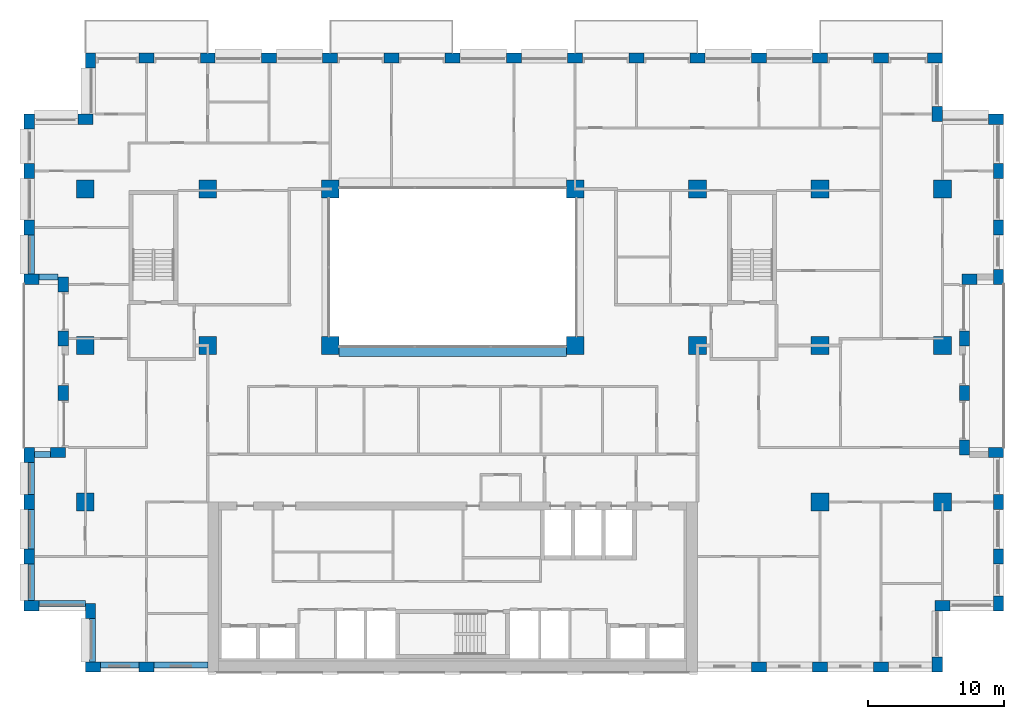
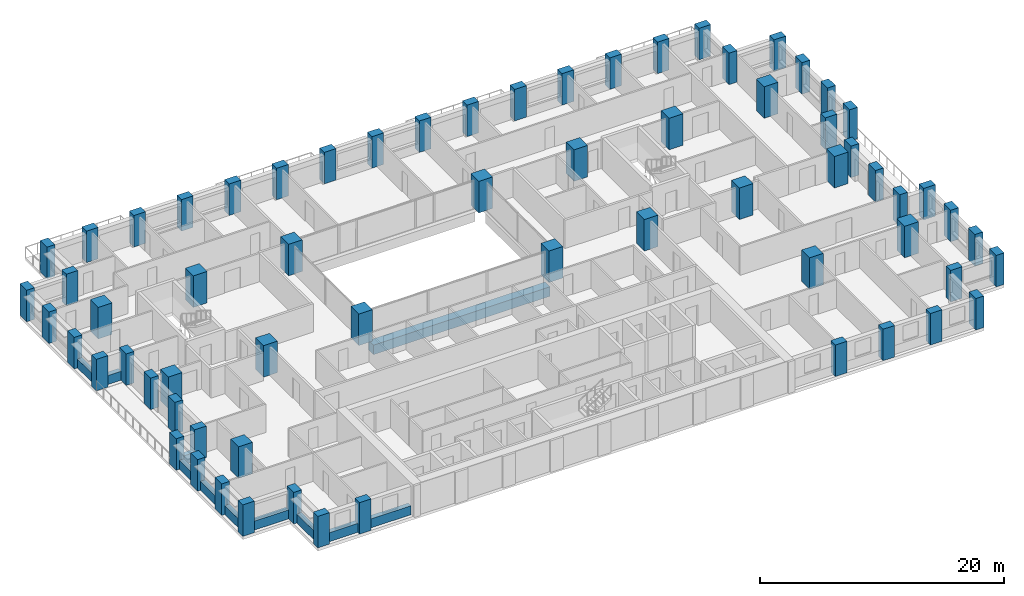
# One storey, part 1 of 16: 66 columns, 11 beams.
"""IFC4 building model written with IfcOpenShell, lengths in metres."""

from ifc_helpers import new_model, si_unit, direction, frame, origin, origin_2d, place, context, subcontext, project, spatial, rectangle, extrude, material, material_profile, profile_set, type_object, element, save


model = new_model("IFC4")

# Units and contexts
model_context = context("Model", 3, precision=1e-05, world=origin(), true_north=direction((0.0, 1.0)))
body_context = subcontext(model_context, "Body", "Model", "MODEL_VIEW")
ifc_project = project(units=[si_unit("LENGTHUNIT", "METRE"), si_unit("AREAUNIT", "SQUARE_METRE"), si_unit("VOLUMEUNIT", "CUBIC_METRE"), si_unit("PLANEANGLEUNIT", "RADIAN"), si_unit("MASSUNIT", "GRAM", prefix="KILO")], contexts=[model_context])

# Site, building, storey
site_placement = place(None, origin())
site = spatial("IfcSite", under=ifc_project, at=site_placement, CompositionType="ELEMENT")
building_placement = place(site_placement, origin())
building = spatial("IfcBuilding", under=site, at=building_placement, Name="Brigalow Station Residences", CompositionType="ELEMENT")
storey_placement = place(building_placement, frame((0.0, 0.0, 93.0)))
storey = spatial("IfcBuildingStorey", under=building, at=storey_placement, Name="L26", CompositionType="ELEMENT", Elevation=93.0)

# Columns
ifc_material_1 = material(Name="Concrete C65", Category="concrete")
ifc_material_profile_1 = material_profile(ifc_material_1, rectangle(XDim=1.300048828125, YDim=1.300048828125, at=origin_2d()), Name="RC1300x1300")
ifc_profile_set_1 = profile_set([ifc_material_profile_1], Name="Concrete C65")
column_type_1 = type_object("IfcColumnType", Name="COLUMN 1300x1300 C65", PredefinedType="COLUMN", material=ifc_profile_set_1)
for number, where, z_axis, x_axis, name in (
    (1, (9.0, 24.0, 0.0), (0.0, 0.0, 1.0), (1.0, 0.0, 0.0), "COLUMN C1 L26"),
    (2, (18.0, 24.0, 0.0), (0.0, 0.0, 1.0), (1.0, 0.0, 0.0), "COLUMN C2 L26"),
    (3, (27.0, 24.0, 0.0), (0.0, 0.0, 1.0), (1.0, 0.0, 0.0), "COLUMN C3 L26"),
    (4, (45.0, 24.0, 0.0), (0.0, 0.0, 1.0), (1.0, 0.0, 0.0), "COLUMN C5 L26"),
    (5, (54.0, 24.0, 0.0), (0.0, 0.0, 1.0), (1.0, 0.0, 0.0), "COLUMN C6 L26"),
    (6, (63.0, 24.0, 0.0), (0.0, 0.0, 1.0), (1.0, 0.0, 0.0), "COLUMN C7 L26"),
    (7, (72.0, 24.0, 0.0), (0.0, 0.0, 1.0), (1.0, 0.0, 0.0), "COLUMN C8 L26"),
    (8, (9.0, 35.5, 0.0), (0.0, 0.0, 1.0), (1.0, 0.0, 0.0), "COLUMN D1 L26"),
    (9, (18.0, 35.5, 0.0), (0.0, 0.0, 1.0), (1.0, 0.0, 0.0), "COLUMN D2 L26"),
    (10, (27.0, 35.5, 0.0), (0.0, 0.0, 1.0), (1.0, 0.0, 0.0), "COLUMN D3 L26"),
    (11, (45.0, 35.5, 0.0), (0.0, 0.0, 1.0), (1.0, 0.0, 0.0), "COLUMN D5 L26"),
    (12, (54.0, 35.5, 0.0), (0.0, 0.0, 1.0), (1.0, 0.0, 0.0), "COLUMN D6 L26"),
    (13, (63.0, 35.5, 0.0), (0.0, 0.0, 1.0), (1.0, 0.0, 0.0), "COLUMN D7 L26"),
    (14, (72.0, 35.5, 0.0), (0.0, 0.0, 1.0), (1.0, 0.0, 0.0), "COLUMN D8 L26"),
    (15, (9.0, 12.5, 0.0), (0.0, 0.0, 1.0), (1.0, 0.0, 0.0), "COLUMN B1 L26"),
    (16, (63.0, 12.5, 0.0), (0.0, 0.0, 1.0), (1.0, 0.0, 0.0), "COLUMN B7 L26"),
    (17, (72.0, 12.5, 0.0), (0.0, 0.0, 1.0), (1.0, 0.0, 0.0), "COLUMN B8 L26"),
):
    element("IfcColumn", number, at=place(storey_placement, frame(where, z_axis=z_axis, x_axis=x_axis)), inside=storey, type_object=column_type_1, Name=name, PredefinedType="COLUMN", context=body_context, shape_type="SweptSolid", body=[
        extrude(rectangle(XDim=1.300048828125, YDim=1.300048828125, at=origin_2d()), origin(), (0.0, 0.0, 1.0), 3.14990234375),
    ])
ifc_material_2 = material(Name="Concrete C65", Category="concrete")
ifc_material_profile_2 = material_profile(ifc_material_2, rectangle(XDim=1.10009765625, YDim=0.75, at=origin_2d()), Name="RC1100x750")
ifc_profile_set_2 = profile_set([ifc_material_profile_2], Name="Concrete C65")
column_type_2 = type_object("IfcColumnType", Name="PIER 1100x750 C65", PredefinedType="USERDEFINED", material=ifc_profile_set_2)
for number, where, z_axis, x_axis, name in (
    (18, (9.550048828125, 0.375, 0.0), (0.0, 0.0, 1.0), (1.0, 0.0, 0.0), "PIER S-1 L26"),
    (19, (13.5, 0.375, 0.0), (0.0, 0.0, 1.0), (1.0, 0.0, 0.0), "PIER S-2 L26"),
    (20, (58.5, 0.375, 0.0), (0.0, 0.0, 1.0), (1.0, 0.0, 0.0), "PIER S-12 L26"),
    (21, (63.0, 0.375, 0.0), (0.0, 0.0, 1.0), (1.0, 0.0, 0.0), "PIER S-13 L26"),
    (22, (67.5, 0.375, 0.0), (0.0, 0.0, 1.0), (1.0, 0.0, 0.0), "PIER S-14 L26"),
    (23, (71.625, 0.550048828125, 0.0), (0.0, 0.0, 1.0), (0.0, 1.0, 0.0), "PIER SE1-1 L26"),
    (24, (72.0, 4.875, 0.0), (0.0, 0.0, 1.0), (1.0, 0.0, 0.0), "PIER SE2-1 L26"),
    (25, (76.125, 5.050048828125, 0.0), (0.0, 0.0, 1.0), (0.0, 1.0, 0.0), "PIER E1-1 L26"),
    (26, (76.125, 8.5, 0.0), (0.0, 0.0, 1.0), (0.0, 1.0, 0.0), "PIER E1-2 L26"),
    (27, (76.125, 12.5, 0.0), (0.0, 0.0, 1.0), (0.0, 1.0, 0.0), "PIER E1-3 L26"),
    (28, (75.949951171875, 16.125, 0.0), (0.0, 0.0, 1.0), (-1.0, 0.0, 0.0), "PIER EL1-1 L26"),
    (29, (73.625, 16.5, 0.0), (0.0, 0.0, 1.0), (0.0, 1.0, 0.0), "PIER EL2-1 L26"),
    (30, (73.625, 20.5, 0.0), (0.0, 0.0, 1.0), (0.0, 1.0, 0.0), "PIER EL2-2 L26"),
    (31, (73.625, 24.5, 0.0), (0.0, 0.0, 1.0), (0.0, 1.0, 0.0), "PIER EL2-3 L26"),
    (32, (74.0, 28.875, 0.0), (0.0, 0.0, 1.0), (1.0, 0.0, 0.0), "PIER EL3-1 L26"),
    (33, (76.125, 29.050048828125, 0.0), (0.0, 0.0, 1.0), (0.0, 1.0, 0.0), "PIER E2-1 L26"),
    (34, (76.125, 32.6669921875, 0.0), (0.0, 0.0, 1.0), (0.0, 1.0, 0.0), "PIER E2-2 L26"),
    (35, (76.125, 36.8330078125, 0.0), (0.0, 0.0, 1.0), (0.0, 1.0, 0.0), "PIER E2-3 L26"),
    (36, (75.949951171875, 40.625, 0.0), (0.0, 0.0, 1.0), (-1.0, 0.0, 0.0), "PIER NE1-1 L26"),
    (37, (71.625, 41.0, 0.0), (0.0, 0.0, 1.0), (0.0, 1.0, 0.0), "PIER NE2-1 L26"),
    (38, (71.449951171875, 45.125, 0.0), (0.0, 0.0, 1.0), (-1.0, 0.0, 0.0), "PIER N-1 L26"),
    (39, (67.5, 45.125, 0.0), (0.0, 0.0, 1.0), (-1.0, 0.0, 0.0), "PIER N-2 L26"),
    (40, (63.0, 45.125, 0.0), (0.0, 0.0, 1.0), (-1.0, 0.0, 0.0), "PIER N-3 L26"),
    (41, (58.5, 45.125, 0.0), (0.0, 0.0, 1.0), (-1.0, 0.0, 0.0), "PIER N-4 L26"),
    (42, (54.0, 45.125, 0.0), (0.0, 0.0, 1.0), (-1.0, 0.0, 0.0), "PIER N-5 L26"),
    (43, (49.5, 45.125, 0.0), (0.0, 0.0, 1.0), (-1.0, 0.0, 0.0), "PIER N-6 L26"),
    (44, (45.0, 45.125, 0.0), (0.0, 0.0, 1.0), (-1.0, 0.0, 0.0), "PIER N-7 L26"),
    (45, (40.5, 45.125, 0.0), (0.0, 0.0, 1.0), (-1.0, 0.0, 0.0), "PIER N-8 L26"),
    (46, (36.0, 45.125, 0.0), (0.0, 0.0, 1.0), (-1.0, 0.0, 0.0), "PIER N-9 L26"),
    (47, (31.5, 45.125, 0.0), (0.0, 0.0, 1.0), (-1.0, 0.0, 0.0), "PIER N-10 L26"),
    (48, (27.0, 45.125, 0.0), (0.0, 0.0, 1.0), (-1.0, 0.0, 0.0), "PIER N-11 L26"),
    (49, (22.5, 45.125, 0.0), (0.0, 0.0, 1.0), (-1.0, 0.0, 0.0), "PIER N-12 L26"),
    (50, (18.0, 45.125, 0.0), (0.0, 0.0, 1.0), (-1.0, 0.0, 0.0), "PIER N-13 L26"),
    (51, (13.5, 45.125, 0.0), (0.0, 0.0, 1.0), (-1.0, 0.0, 0.0), "PIER N-14 L26"),
    (52, (9.375, 44.949951171875, 0.0), (0.0, 0.0, 1.0), (0.0, -1.0, 0.0), "PIER NW1-1 L26"),
    (53, (9.0, 40.625, 0.0), (0.0, 0.0, 1.0), (-1.0, 0.0, 0.0), "PIER NW2-1 L26"),
    (54, (4.875, 40.449951171875, 0.0), (0.0, 0.0, 1.0), (0.0, -1.0, 0.0), "PIER W2-1 L26"),
    (55, (4.875, 36.8330078125, 0.0), (0.0, 0.0, 1.0), (0.0, -1.0, 0.0), "PIER W2-2 L26"),
    (56, (4.875, 32.6669921875, 0.0), (0.0, 0.0, 1.0), (0.0, -1.0, 0.0), "PIER W2-3 L26"),
    (57, (5.050048828125, 28.875, 0.0), (0.0, 0.0, 1.0), (1.0, 0.0, 0.0), "PIER WL1-1 L26"),
    (58, (7.375, 28.5, 0.0), (0.0, 0.0, 1.0), (0.0, -1.0, 0.0), "PIER WL2-1 L26"),
    (59, (7.375, 24.5, 0.0), (0.0, 0.0, 1.0), (0.0, -1.0, 0.0), "PIER WL2-2 L26"),
    (60, (7.375, 20.5, 0.0), (0.0, 0.0, 1.0), (0.0, -1.0, 0.0), "PIER WL2-3 L26"),
    (61, (7.0, 16.125, 0.0), (0.0, 0.0, 1.0), (-1.0, 0.0, 0.0), "PIER WL3-1 L26"),
    (62, (4.875, 15.949951171875, 0.0), (0.0, 0.0, 1.0), (0.0, -1.0, 0.0), "PIER W1-1 L26"),
    (63, (4.875, 12.5, 0.0), (0.0, 0.0, 1.0), (0.0, -1.0, 0.0), "PIER W1-2 L26"),
    (64, (4.875, 8.5, 0.0), (0.0, 0.0, 1.0), (0.0, -1.0, 0.0), "PIER W1-3 L26"),
    (65, (5.050048828125, 4.875, 0.0), (0.0, 0.0, 1.0), (1.0, 0.0, 0.0), "PIER SW1-1 L26"),
    (66, (9.375, 4.5, 0.0), (0.0, 0.0, 1.0), (0.0, -1.0, 0.0), "PIER SW2-1 L26"),
):
    element("IfcColumn", number, at=place(storey_placement, frame(where, z_axis=z_axis, x_axis=x_axis)), inside=storey, type_object=column_type_2, Name=name, ObjectType="PIER", PredefinedType="USERDEFINED", context=body_context, shape_type="SweptSolid", body=[
        extrude(rectangle(XDim=1.10009765625, YDim=0.75, at=origin_2d()), origin(), (0.0, 0.0, 1.0), 3.14990234375),
    ])

# Beams
ifc_material_3 = material(Name="Concrete C65", Category="concrete")
ifc_material_profile_3 = material_profile(ifc_material_3, rectangle(XDim=0.800048828125, YDim=0.949951171875, at=origin_2d()), Name="RC800x950")
ifc_profile_set_3 = profile_set([ifc_material_profile_3], Name="Concrete C65")
beam_type_1 = type_object("IfcBeamType", Name="ATRIUM EDGE GIRDER OVER 13.5 M SPAN 800x950 C65", PredefinedType="BEAM", material=ifc_profile_set_3)
beam_1_placement = place(storey_placement, frame((27.64990234375, 23.60009765625, -0.794921875), z_axis=(1.0, 0.0, 0.0), x_axis=(0.0, 1.0, 0.0)))
element("IfcBeam", 67, at=beam_1_placement, inside=storey, type_object=beam_type_1, Name="ATRIUM EDGE GIRDER C L26", PredefinedType="BEAM", context=body_context, shape_type="SweptSolid", body=[
    extrude(rectangle(XDim=0.800048828125, YDim=0.949951171875, at=origin_2d()), origin(), (0.0, 0.0, 1.0), 16.7001953125),
])
ifc_material_4 = material(Name="Concrete C65", Category="concrete")
ifc_material_profile_4 = material_profile(ifc_material_4, rectangle(XDim=0.449951171875, YDim=0.89990234375, at=origin_2d()), Name="RC450x900")
ifc_profile_set_4 = profile_set([ifc_material_profile_4], Name="Concrete C65")
beam_type_2 = type_object("IfcBeamType", Name="SPANDREL BEAM 450x900 C65", PredefinedType="SPANDREL", material=ifc_profile_set_4)
beam_2_placement = place(storey_placement, frame((10.10009765625, 0.52490234375, 0.449951171875), z_axis=(1.0, 0.0, 0.0), x_axis=(0.0, 1.0, 0.0)))
element("IfcBeam", 68, at=beam_2_placement, inside=storey, type_object=beam_type_2, Name="L26/spandrel/W-L26-1", PredefinedType="SPANDREL", context=body_context, shape_type="SweptSolid", body=[
    extrude(rectangle(XDim=0.449951171875, YDim=0.89990234375, at=origin_2d()), origin(), (0.0, 0.0, 1.0), 2.849853515625),
])
beam_3_placement = place(storey_placement, frame((14.050048828125, 0.52490234375, 0.449951171875), z_axis=(1.0, 0.0, 0.0), x_axis=(0.0, 1.0, 0.0)))
element("IfcBeam", 69, at=beam_3_placement, inside=storey, type_object=beam_type_2, Name="L26/spandrel/W-L26-2", PredefinedType="SPANDREL", context=body_context, shape_type="SweptSolid", body=[
    extrude(rectangle(XDim=0.449951171875, YDim=0.89990234375, at=origin_2d()), origin(), (0.0, 0.0, 1.0), 3.949951171875),
])
beam_4_placement = place(storey_placement, frame((5.02490234375, 32.116943359375, 0.449951171875), z_axis=(0.0, -1.0, 0.0), x_axis=(1.0, 0.0, 0.0)))
element("IfcBeam", 70, at=beam_4_placement, inside=storey, type_object=beam_type_2, Name="L26/spandrel/W-L26-41", PredefinedType="SPANDREL", context=body_context, shape_type="SweptSolid", body=[
    extrude(rectangle(XDim=0.449951171875, YDim=0.89990234375, at=origin_2d()), origin(), (0.0, 0.0, 1.0), 2.866943359375),
])
beam_5_placement = place(storey_placement, frame((5.60009765625, 29.02490234375, 0.449951171875), z_axis=(1.0, 0.0, 0.0), x_axis=(0.0, 1.0, 0.0)))
element("IfcBeam", 71, at=beam_5_placement, inside=storey, type_object=beam_type_2, Name="L26/spandrel/W-L26-42", PredefinedType="SPANDREL", context=body_context, shape_type="SweptSolid", body=[
    extrude(rectangle(XDim=0.449951171875, YDim=0.89990234375, at=origin_2d()), origin(), (0.0, 0.0, 1.0), 1.39990234375),
])
beam_6_placement = place(storey_placement, frame((6.449951171875, 15.97509765625, 0.449951171875), z_axis=(-1.0, 0.0, 0.0), x_axis=(0.0, -1.0, 0.0)))
element("IfcBeam", 72, at=beam_6_placement, inside=storey, type_object=beam_type_2, Name="L26/spandrel/W-L26-46", PredefinedType="SPANDREL", context=body_context, shape_type="SweptSolid", body=[
    extrude(rectangle(XDim=0.449951171875, YDim=0.89990234375, at=origin_2d()), origin(), (0.0, 0.0, 1.0), 1.199951171875),
])
beam_7_placement = place(storey_placement, frame((5.02490234375, 15.39990234375, 0.449951171875), z_axis=(0.0, -1.0, 0.0), x_axis=(1.0, 0.0, 0.0)))
element("IfcBeam", 73, at=beam_7_placement, inside=storey, type_object=beam_type_2, Name="L26/spandrel/W-L26-47", PredefinedType="SPANDREL", context=body_context, shape_type="SweptSolid", body=[
    extrude(rectangle(XDim=0.449951171875, YDim=0.89990234375, at=origin_2d()), origin(), (0.0, 0.0, 1.0), 2.349853515625),
])
beam_8_placement = place(storey_placement, frame((5.02490234375, 11.949951171875, 0.449951171875), z_axis=(0.0, -1.0, 0.0), x_axis=(1.0, 0.0, 0.0)))
element("IfcBeam", 74, at=beam_8_placement, inside=storey, type_object=beam_type_2, Name="L26/spandrel/W-L26-48", PredefinedType="SPANDREL", context=body_context, shape_type="SweptSolid", body=[
    extrude(rectangle(XDim=0.449951171875, YDim=0.89990234375, at=origin_2d()), origin(), (0.0, 0.0, 1.0), 2.89990234375),
])
beam_9_placement = place(storey_placement, frame((5.02490234375, 7.949951171875, 0.449951171875), z_axis=(0.0, -1.0, 0.0), x_axis=(1.0, 0.0, 0.0)))
element("IfcBeam", 75, at=beam_9_placement, inside=storey, type_object=beam_type_2, Name="L26/spandrel/W-L26-49", PredefinedType="SPANDREL", context=body_context, shape_type="SweptSolid", body=[
    extrude(rectangle(XDim=0.449951171875, YDim=0.89990234375, at=origin_2d()), origin(), (0.0, 0.0, 1.0), 2.699951171875),
])
beam_10_placement = place(storey_placement, frame((5.60009765625, 5.02490234375, 0.449951171875), z_axis=(1.0, 0.0, 0.0), x_axis=(0.0, 1.0, 0.0)))
element("IfcBeam", 76, at=beam_10_placement, inside=storey, type_object=beam_type_2, Name="L26/spandrel/W-L26-50", PredefinedType="SPANDREL", context=body_context, shape_type="SweptSolid", body=[
    extrude(rectangle(XDim=0.449951171875, YDim=0.89990234375, at=origin_2d()), origin(), (0.0, 0.0, 1.0), 3.39990234375),
])
beam_11_placement = place(storey_placement, frame((9.52490234375, 3.949951171875, 0.449951171875), z_axis=(0.0, -1.0, 0.0), x_axis=(1.0, 0.0, 0.0)))
element("IfcBeam", 77, at=beam_11_placement, inside=storey, type_object=beam_type_2, Name="L26/spandrel/W-L26-51", PredefinedType="SPANDREL", context=body_context, shape_type="SweptSolid", body=[
    extrude(rectangle(XDim=0.449951171875, YDim=0.89990234375, at=origin_2d()), origin(), (0.0, 0.0, 1.0), 3.199951171875),
])

save(model, "model.ifc")
